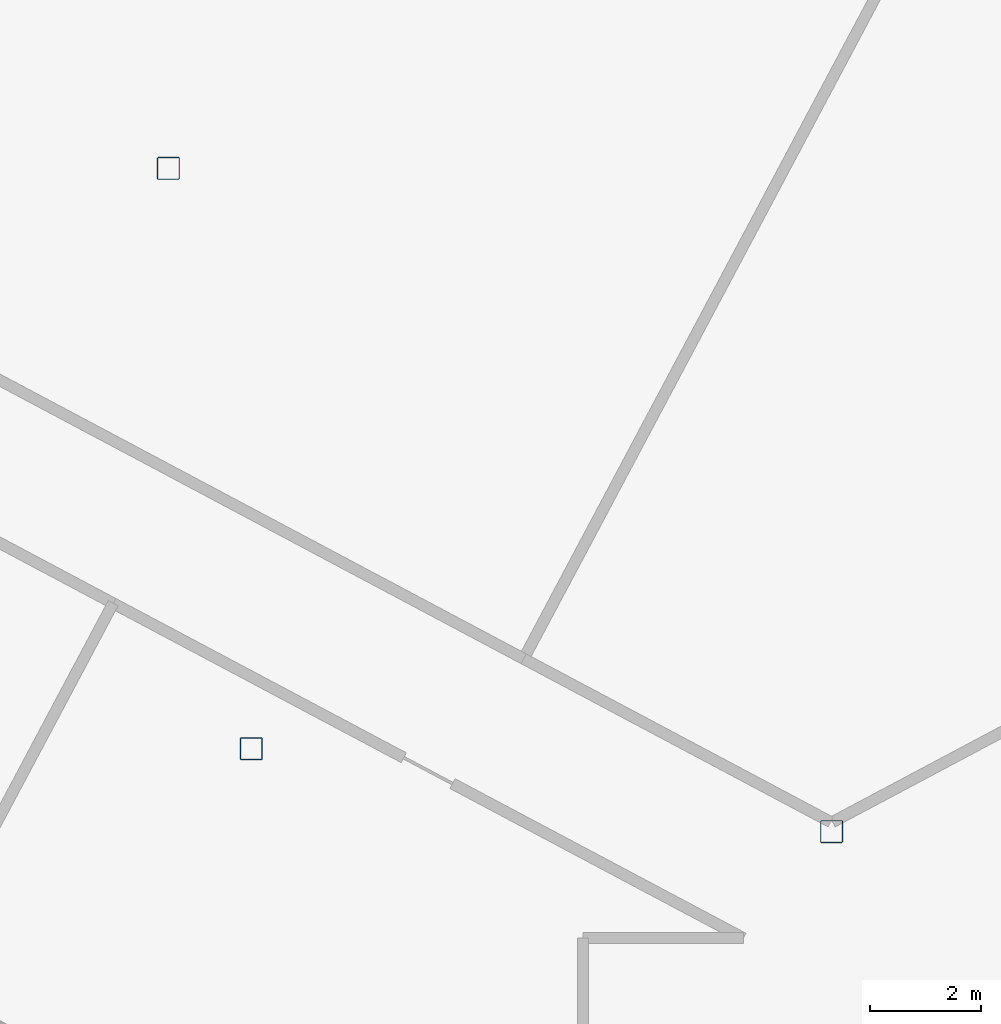
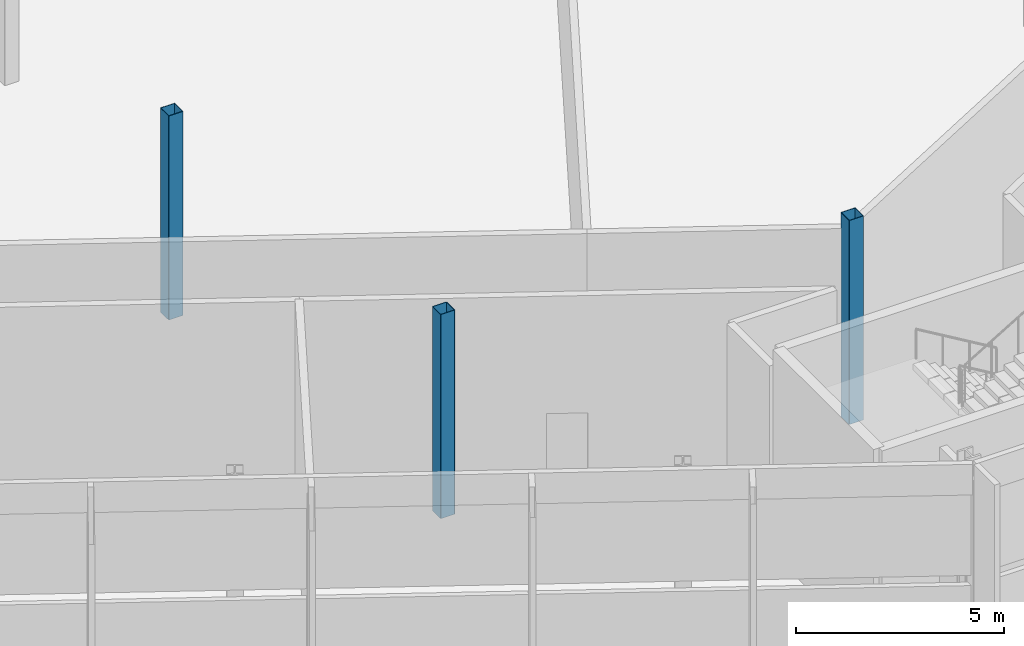
# One storey, part 2 of 33: 3 columns.
"""IFC4 building model written with IfcOpenShell, lengths in metres."""

from ifc_helpers import new_model, si_unit, direction, frame, origin, origin_2d, place, context, subcontext, project, spatial, hollow_rectangle, extrude, material, material_profile, profile_set, type_object, element, save


model = new_model("IFC4")

# Units and contexts
model_context = context("Model", 3, precision=1e-05, world=origin(), true_north=direction((0.0, 1.0)))
body_context = subcontext(model_context, "Body", "Model", "MODEL_VIEW")
ifc_project = project(units=[si_unit("LENGTHUNIT", "METRE"), si_unit("AREAUNIT", "SQUARE_METRE"), si_unit("VOLUMEUNIT", "CUBIC_METRE"), si_unit("PLANEANGLEUNIT", "RADIAN"), si_unit("MASSUNIT", "GRAM", prefix="KILO")], contexts=[model_context])

# Site, building, storey
site_placement = place(None, origin())
site = spatial("IfcSite", under=ifc_project, at=site_placement, CompositionType="ELEMENT")
building_placement = place(site_placement, origin())
building = spatial("IfcBuilding", under=site, at=building_placement, Name="Cormorant Relay Tower", CompositionType="ELEMENT")
storey_placement = place(building_placement, frame((0.0, 0.0, 252.0)))
storey = spatial("IfcBuildingStorey", under=building, at=storey_placement, Name="L56", CompositionType="ELEMENT", Elevation=252.0)

# Columns
ifc_material = material(Name="Steel ASTM A500 Grade C (Fy 345 MPa)", Category="steel")
ifc_material_profile = material_profile(ifc_material, hollow_rectangle(XDim=0.406494140625, YDim=0.406494140625, WallThickness=0.0146484375, InnerFilletRadius=0.00732421875, OuterFilletRadius=0.022216796875, at=origin_2d()), Name="HSS406x406x15")
ifc_profile_set = profile_set([ifc_material_profile], Name="Steel ASTM A500 Grade C (Fy 345 MPa)")
column_type = type_object("IfcColumnType", Name="Column HSS406x406x15", PredefinedType="COLUMN", material=ifc_profile_set)
for number, where, z_axis, x_axis, name in (
    (1, (0.0, -12.0, 0.0), (0.0, 0.0, 1.0), (1.0, 0.0, 0.0), "Column L56-007"),
    (2, (-10.5, -10.5, 0.0), (0.0, 0.0, 1.0), (1.0, 0.0, 0.0), "Column L56-009"),
    (3, (-12.0, 0.0, 0.0), (0.0, 0.0, 1.0), (1.0, 0.0, 0.0), "Column L56-015"),
):
    element("IfcColumn", number, at=place(storey_placement, frame(where, z_axis=z_axis, x_axis=x_axis)), inside=storey, type_object=column_type, Name=name, PredefinedType="COLUMN", context=body_context, shape_type="SweptSolid", body=[
        extrude(hollow_rectangle(XDim=0.406494140625, YDim=0.406494140625, WallThickness=0.0146484375, InnerFilletRadius=0.00732421875, OuterFilletRadius=0.022216796875, at=origin_2d()), origin(), (0.0, 0.0, 1.0), 6.0),
    ])

save(model, "model.ifc")
